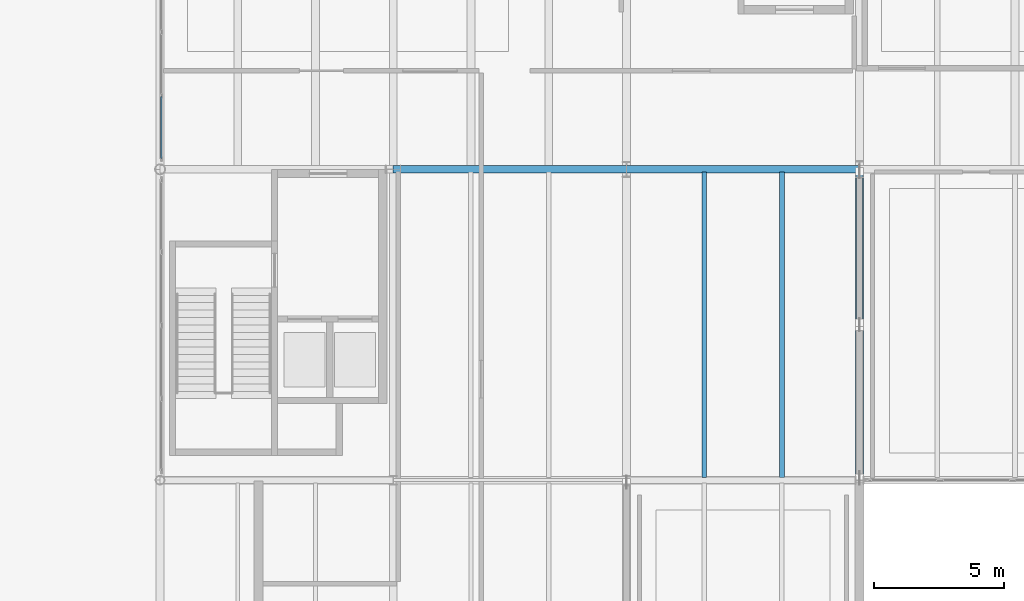
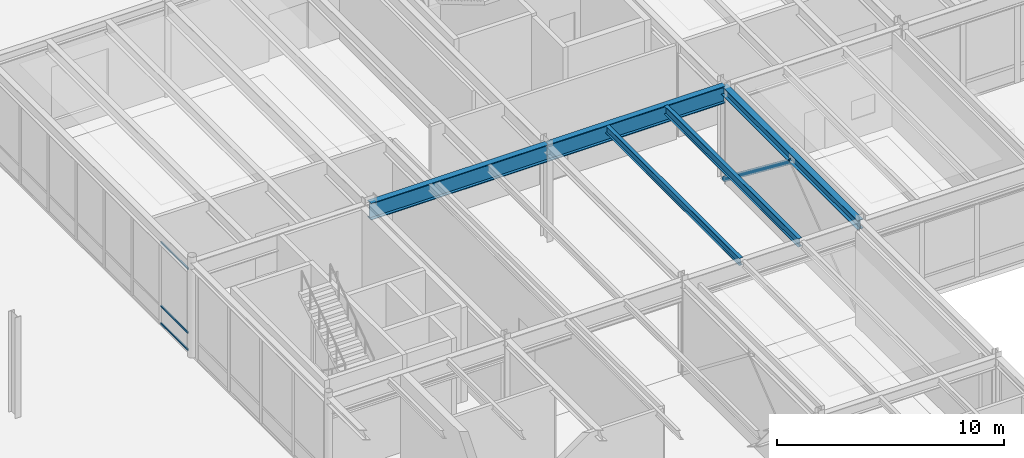
# One storey, part 79 of 143: 5 beams, 4 members, 1 element without a shape of its own.
"""IFC4 building model written with IfcOpenShell, lengths in metres."""

from ifc_helpers import new_model, si_unit, direction, frame, origin, origin_2d, place, context, subcontext, project, spatial, hollow_rectangle, hollow_circle, i_section, extrude, material, layer, layer_set, material_profile, profile_set, type_object, element, aggregate, save


model = new_model("IFC4")

# Units and contexts
model_context = context("Model", 3, precision=1e-05, world=origin(), true_north=direction((0.0, 1.0)))
body_context = subcontext(model_context, "Body", "Model", "MODEL_VIEW")
ifc_project = project(units=[si_unit("LENGTHUNIT", "METRE"), si_unit("AREAUNIT", "SQUARE_METRE"), si_unit("VOLUMEUNIT", "CUBIC_METRE"), si_unit("PLANEANGLEUNIT", "RADIAN"), si_unit("MASSUNIT", "GRAM", prefix="KILO")], contexts=[model_context])

# Site, building, storey
site_placement = place(None, origin())
site = spatial("IfcSite", under=ifc_project, at=site_placement, CompositionType="ELEMENT")
building_placement = place(site_placement, origin())
building = spatial("IfcBuilding", under=site, at=building_placement, Name="Montelvaro Courts of Justice", CompositionType="ELEMENT")
storey_placement = place(building_placement, origin())
storey = spatial("IfcBuildingStorey", under=building, at=storey_placement, Name="L00", CompositionType="ELEMENT", Elevation=0.0)

# Beams
ifc_material_1 = material(Name="Steel S355", Category="steel")
ifc_material_profile_1 = material_profile(ifc_material_1, i_section(OverallWidth=0.300048828125, OverallDepth=0.489990234375, WebThickness=0.011962890625, FlangeThickness=0.02294921875, at=origin_2d()), Name="HEA 500")
ifc_profile_set_1 = profile_set([ifc_material_profile_1], Name="Steel S355")
beam_type_1 = type_object("IfcBeamType", Name="Beam_HEA500", PredefinedType="USERDEFINED", material=ifc_profile_set_1)
beam_1_placement = place(storey_placement, frame((126.0, 66.0, 4.85498046875), z_axis=(0.0, 1.0, 0.0), x_axis=(-1.0, 0.0, 0.0)))
element("IfcBeam", 1, at=beam_1_placement, inside=storey, type_object=beam_type_1, Name="Beam B-19 L00", ObjectType="GIRDER", PredefinedType="USERDEFINED", context=body_context, shape_type="SweptSolid", body=[
    extrude(i_section(OverallWidth=0.300048828125, OverallDepth=0.489990234375, WebThickness=0.011962890625, FlangeThickness=0.02294921875, at=origin_2d()), origin(), (0.0, 0.0, 1.0), 12.0),
])
ifc_material_profile_2 = material_profile(ifc_material_1, i_section(OverallWidth=0.302001953125, OverallDepth=0.909912109375, WebThickness=0.02099609375, FlangeThickness=0.0400390625, at=origin_2d()), Name="HEM 900")
ifc_profile_set_2 = profile_set([ifc_material_profile_2], Name="Steel S355")
beam_type_2 = type_object("IfcBeamType", Name="Beam_HEM900", PredefinedType="USERDEFINED", material=ifc_profile_set_2)
for number, where, z_axis, x_axis, name in (
    (2, (108.0, 78.0, 4.64501953125), (1.0, 0.0, 0.0), (0.0, 1.0, 0.0), "Beam B-31 L00"),
    (3, (117.0, 78.0, 4.64501953125), (1.0, 0.0, 0.0), (0.0, 1.0, 0.0), "Beam B-31 L00"),
):
    element("IfcBeam", number, at=place(storey_placement, frame(where, z_axis=z_axis, x_axis=x_axis)), inside=storey, type_object=beam_type_2, Name=name, ObjectType="GIRDER", PredefinedType="USERDEFINED", context=body_context, shape_type="SweptSolid", body=[
        extrude(i_section(OverallWidth=0.302001953125, OverallDepth=0.909912109375, WebThickness=0.02099609375, FlangeThickness=0.0400390625, at=origin_2d()), origin(), (0.0, 0.0, 1.0), 9.0),
    ])
ifc_material_profile_3 = material_profile(ifc_material_1, i_section(OverallWidth=0.179931640625, OverallDepth=0.39990234375, WebThickness=0.008544921875, FlangeThickness=0.013427734375, at=origin_2d()), Name="IPE 400")
ifc_profile_set_3 = profile_set([ifc_material_profile_3], Name="Steel S355")
beam_type_3 = type_object("IfcBeamType", Name="Beam_IPE400", PredefinedType="BEAM", material=ifc_profile_set_3)
beam_2_placement = place(storey_placement, frame((120.0, 66.110107421875, 4.89990234375), z_axis=(0.0, 1.0, 0.0), x_axis=(-1.0, 0.0, 0.0)))
element("IfcBeam", 4, at=beam_2_placement, inside=storey, type_object=beam_type_3, Name="Beam B-08 L00", PredefinedType="BEAM", context=body_context, shape_type="SweptSolid", body=[
    extrude(i_section(OverallWidth=0.179931640625, OverallDepth=0.39990234375, WebThickness=0.008544921875, FlangeThickness=0.013427734375, at=origin_2d()), origin(), (0.0, 0.0, 1.0), 11.77978515625),
])
ifc_material_profile_4 = material_profile(ifc_material_1, i_section(OverallWidth=0.18994140625, OverallDepth=0.449951171875, WebThickness=0.009521484375, FlangeThickness=0.0146484375, at=origin_2d()), Name="IPE 450")
ifc_profile_set_4 = profile_set([ifc_material_profile_4], Name="Steel S355")
beam_type_4 = type_object("IfcBeamType", Name="Beam_IPE450", PredefinedType="BEAM", material=ifc_profile_set_4)
beam_3_placement = place(storey_placement, frame((123.0, 66.110107421875, 4.875), z_axis=(0.0, 1.0, 0.0), x_axis=(-1.0, 0.0, 0.0)))
element("IfcBeam", 5, at=beam_3_placement, inside=storey, type_object=beam_type_4, Name="Beam B-09 L00", PredefinedType="BEAM", context=body_context, shape_type="SweptSolid", body=[
    extrude(i_section(OverallWidth=0.18994140625, OverallDepth=0.449951171875, WebThickness=0.009521484375, FlangeThickness=0.0146484375, at=origin_2d()), origin(), (0.0, 0.0, 1.0), 11.77978515625),
])

# Curtain wall, members
ifc_material_2 = material(Name="Anodised aluminium EN AW-6063", Category="aluminium")
ifc_layer = layer(ifc_material_2, 0.159912109375)
ifc_layer_set = layer_set([ifc_layer], Name="Anodised aluminium EN AW-6063")
curtain_wall_type = type_object("IfcCurtainWallType", Name="CurtainWall_02_1727x508", PredefinedType="USERDEFINED", material=ifc_layer_set)
curtain_wall_placement = place(storey_placement, origin())
curtain_wall = element("IfcCurtainWall", 6, at=curtain_wall_placement, inside=storey, type_object=curtain_wall_type, Name="Curtain Wall CW-02 (L00)", ObjectType="CURTAIN WALL", PredefinedType="USERDEFINED")
ifc_material_profile_5 = material_profile(ifc_material_2, hollow_rectangle(XDim=0.06005859375, YDim=0.10009765625, WallThickness=0.00341796875, at=origin_2d()), Name="ALU-T 60x100")
ifc_profile_set_5 = profile_set([ifc_material_profile_5], Name="Anodised aluminium EN AW-6063")
member_type_1 = type_object("IfcMemberType", Name="CurtainWall_Transom_60x100", PredefinedType="USERDEFINED", material=ifc_profile_set_5)
member_1_placement = place(storey_placement, frame((99.050048828125, 80.80224609375, 0.030029296875), z_axis=(0.0, -1.0, 0.0), x_axis=(1.0, 0.0, 0.0)))
member_1 = element("IfcMember", 7, at=member_1_placement, type_object=member_type_1, Name="CW-02 transom 7.1", ObjectType="TRANSOM", PredefinedType="USERDEFINED", context=body_context, shape_type="SweptSolid", body=[
    extrude(hollow_rectangle(XDim=0.06005859375, YDim=0.10009765625, WallThickness=0.00341796875, at=origin_2d()), origin(), (0.0, 0.0, 1.0), 2.377197265625),
])
member_2_placement = place(storey_placement, frame((99.050048828125, 80.80224609375, 0.949951171875), z_axis=(0.0, -1.0, 0.0), x_axis=(1.0, 0.0, 0.0)))
member_2 = element("IfcMember", 8, at=member_2_placement, type_object=member_type_1, Name="CW-02 transom 7.2", ObjectType="TRANSOM", PredefinedType="USERDEFINED", context=body_context, shape_type="SweptSolid", body=[
    extrude(hollow_rectangle(XDim=0.06005859375, YDim=0.10009765625, WallThickness=0.00341796875, at=origin_2d()), origin(), (0.0, 0.0, 1.0), 2.377197265625),
])
member_3_placement = place(storey_placement, frame((99.050048828125, 80.80224609375, 4.375), z_axis=(0.0, -1.0, 0.0), x_axis=(1.0, 0.0, 0.0)))
member_3 = element("IfcMember", 9, at=member_3_placement, type_object=member_type_1, Name="CW-02 transom 7.3", ObjectType="TRANSOM", PredefinedType="USERDEFINED", context=body_context, shape_type="SweptSolid", body=[
    extrude(hollow_rectangle(XDim=0.06005859375, YDim=0.10009765625, WallThickness=0.00341796875, at=origin_2d()), origin(), (0.0, 0.0, 1.0), 2.377197265625),
])
aggregate(curtain_wall, [member_1, member_2, member_3])

# Member
ifc_material_profile_6 = material_profile(ifc_material_1, hollow_circle(Radius=0.136474609375, WallThickness=0.012451171875, at=origin_2d()), Name="CHS 273x12.5")
ifc_profile_set_6 = profile_set([ifc_material_profile_6], Name="Steel S355")
member_type_2 = type_object("IfcMemberType", Name="Mem_CHS273_Brace", PredefinedType="BRACE", material=ifc_profile_set_6)
member_4_placement = place(storey_placement, frame((126.0, 77.919921875, 0.080078125), z_axis=(0.0, -0.792881619249, 0.609375695164), x_axis=(1.0, 0.0, 0.0)))
element("IfcMember", 10, at=member_4_placement, inside=storey, type_object=member_type_2, Name="Lateral Braced Frame CBF3 Diagonal 2 (L00)", PredefinedType="BRACE", context=body_context, shape_type="SweptSolid", body=[
    extrude(hollow_circle(Radius=0.136474609375, WallThickness=0.012451171875, at=origin_2d()), origin(), (0.0, 0.0, 1.0), 7.46630859375),
])

save(model, "model.ifc")
